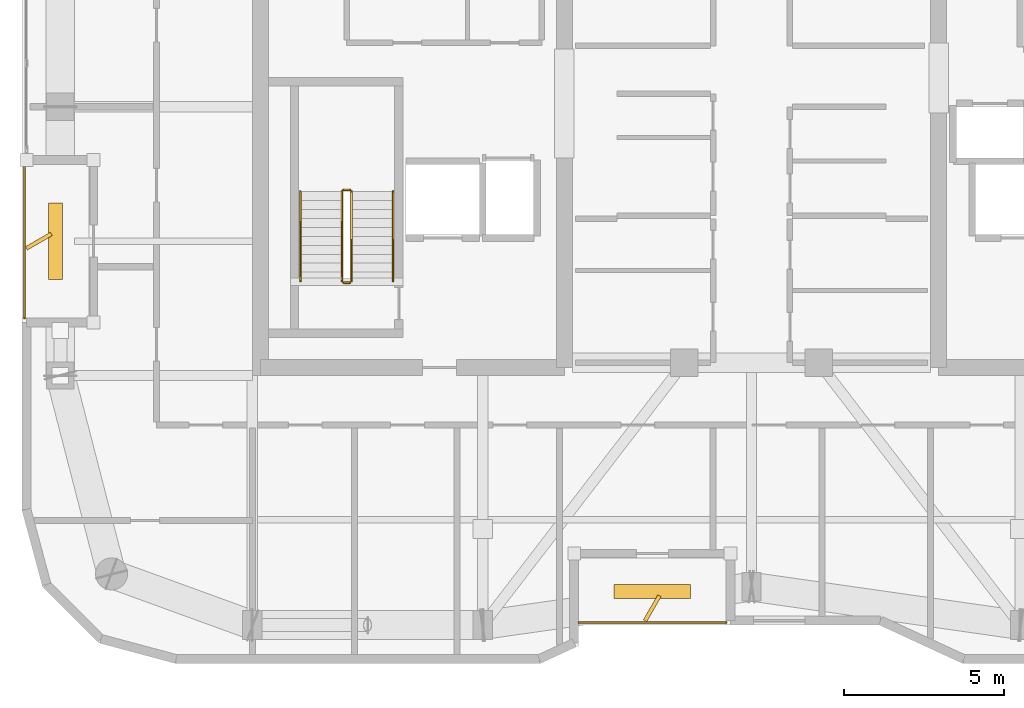
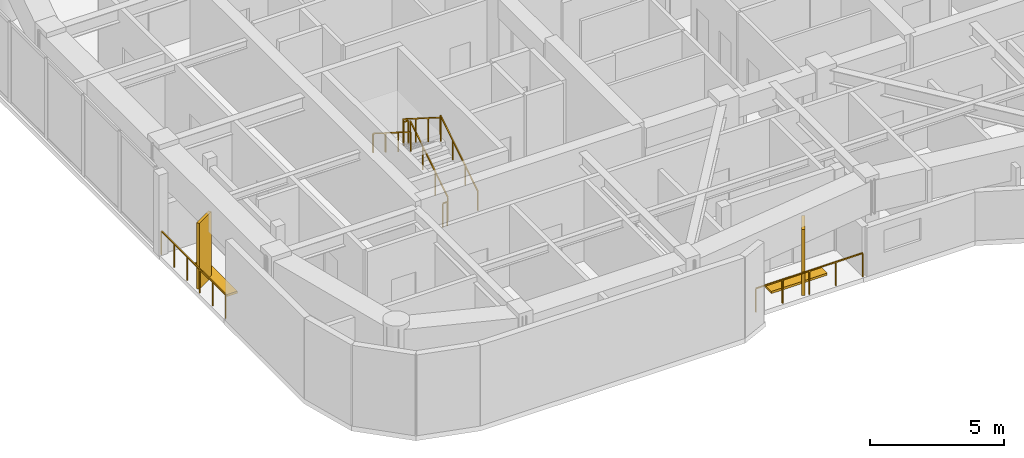
# One storey, part 15 of 16: 8 railings, 4 shading devices.
"""IFC4 building model written with IfcOpenShell, lengths in metres."""

from ifc_helpers import new_model, si_unit, direction, frame, origin, origin_2d, place, context, subcontext, project, spatial, rectangle, extrude, material, type_object, element, save


model = new_model("IFC4")

# Units and contexts
model_context = context("Model", 3, precision=1e-05, world=origin(), true_north=direction((0.0, 1.0)))
body_context = subcontext(model_context, "Body", "Model", "MODEL_VIEW")
ifc_project = project(units=[si_unit("LENGTHUNIT", "METRE"), si_unit("AREAUNIT", "SQUARE_METRE"), si_unit("VOLUMEUNIT", "CUBIC_METRE"), si_unit("PLANEANGLEUNIT", "RADIAN"), si_unit("MASSUNIT", "GRAM", prefix="KILO")], contexts=[model_context])

# Site, building, storey
site_placement = place(None, origin())
site = spatial("IfcSite", under=ifc_project, at=site_placement, CompositionType="ELEMENT")
building_placement = place(site_placement, origin())
building = spatial("IfcBuilding", under=site, at=building_placement, Name="Kiyonajd Concourse Tower", CompositionType="ELEMENT")
storey_placement = place(building_placement, frame((0.0, 0.0, 346.5)))
storey = spatial("IfcBuildingStorey", under=building, at=storey_placement, Name="L87", CompositionType="ELEMENT", Elevation=346.5)

# Railings
ifc_material_1 = material(Name="Thermally Broken Anodised Aluminium", Category="aluminium")
railing_type_1 = type_object("IfcRailingType", Name="RL-GRD-LOG", PredefinedType="GUARDRAIL", material=ifc_material_1)
railing_1_placement = place(storey_placement, frame((42.60009765625, 19.8798828125, 0.0)))
element("IfcRailing", 1, at=railing_1_placement, inside=storey, type_object=railing_type_1, Name="L87 Engawa Loggia Perimeter Guard LOG-S", PredefinedType="GUARDRAIL", context=body_context, shape_type="SweptSolid", body=[
    extrude(rectangle(XDim=0.048095703125, YDim=0.048095703125, at=origin_2d()), frame((0.0, 0.0, 1.076171875), z_axis=(1.0, 0.0, 0.0), x_axis=(0.0, 1.0, 0.0)), (0.0, 0.0, 1.0), 4.599853515625),
    extrude(rectangle(XDim=0.0419921875, YDim=0.0419921875, at=origin_2d()), origin(), (0.0, 0.0, 1.0), 1.052001953125),
    extrude(rectangle(XDim=0.0419921875, YDim=0.0419921875, at=origin_2d()), frame((1.14990234375, 0.0, 0.0)), (0.0, 0.0, 1.0), 1.052001953125),
    extrude(rectangle(XDim=0.0419921875, YDim=0.0419921875, at=origin_2d()), frame((2.2998046875, 0.0, 0.0)), (0.0, 0.0, 1.0), 1.052001953125),
    extrude(rectangle(XDim=0.0419921875, YDim=0.0419921875, at=origin_2d()), frame((3.449951171875, 0.0, 0.0)), (0.0, 0.0, 1.0), 1.052001953125),
    extrude(rectangle(XDim=0.0419921875, YDim=0.0419921875, at=origin_2d()), frame((4.599853515625, 0.0, 0.0)), (0.0, 0.0, 1.0), 1.052001953125),
])
railing_2_placement = place(storey_placement, frame((25.280029296875, 34.199951171875, 0.0)))
element("IfcRailing", 2, at=railing_2_placement, inside=storey, type_object=railing_type_1, Name="L87 Engawa Loggia Perimeter Guard LOG-W", PredefinedType="GUARDRAIL", context=body_context, shape_type="SweptSolid", body=[
    extrude(rectangle(XDim=0.048095703125, YDim=0.048095703125, at=origin_2d()), frame((0.0, 0.0, 1.076171875), z_axis=(0.0, -1.0, 0.0), x_axis=(1.0, 0.0, 0.0)), (0.0, 0.0, 1.0), 4.800048828125),
    extrude(rectangle(XDim=0.0419921875, YDim=0.0419921875, at=origin_2d()), origin(), (0.0, 0.0, 1.0), 1.052001953125),
    extrude(rectangle(XDim=0.0419921875, YDim=0.0419921875, at=origin_2d()), frame((0.0, -0.9599609375, 0.0)), (0.0, 0.0, 1.0), 1.052001953125),
    extrude(rectangle(XDim=0.0419921875, YDim=0.0419921875, at=origin_2d()), frame((0.0, -1.919921875, 0.0)), (0.0, 0.0, 1.0), 1.052001953125),
    extrude(rectangle(XDim=0.0419921875, YDim=0.0419921875, at=origin_2d()), frame((0.0, -2.880126953125, 0.0)), (0.0, 0.0, 1.0), 1.052001953125),
    extrude(rectangle(XDim=0.0419921875, YDim=0.0419921875, at=origin_2d()), frame((0.0, -3.840087890625, 0.0)), (0.0, 0.0, 1.0), 1.052001953125),
    extrude(rectangle(XDim=0.0419921875, YDim=0.0419921875, at=origin_2d()), frame((0.0, -4.800048828125, 0.0)), (0.0, 0.0, 1.0), 1.052001953125),
])
ifc_material_2 = material(Name="Steel ASTM A500 Grade C", Category="steel")
railing_type_2 = type_object("IfcRailingType", Name="RL-GRD-STR", PredefinedType="GUARDRAIL", material=ifc_material_2)
railing_3_placement = place(storey_placement, frame((35.5, 30.550048828125, 0.17724609375)))
element("IfcRailing", 3, at=railing_3_placement, inside=storey, type_object=railing_type_2, Name="L87 ST1 stair guard 1", PredefinedType="GUARDRAIL", context=body_context, shape_type="SweptSolid", body=[
    extrude(rectangle(XDim=0.048095703125, YDim=0.048095703125, at=origin_2d()), frame((0.0, 0.0, 1.076171875), z_axis=(0.0, 0.844908973607, 0.534910110503), x_axis=(-1.0, 0.0, 0.0)), (0.0, 0.0, 1.0), 3.31396484375),
    extrude(rectangle(XDim=0.0419921875, YDim=0.0419921875, at=origin_2d()), origin(), (0.0, 0.0, 1.0), 1.052001953125),
    extrude(rectangle(XDim=0.0419921875, YDim=0.0419921875, at=origin_2d()), frame((0.0, 0.933349609375, 0.5908203125)), (0.0, 0.0, 1.0), 1.052001953125),
    extrude(rectangle(XDim=0.0419921875, YDim=0.0419921875, at=origin_2d()), frame((0.0, 1.86669921875, 1.181884765625)), (0.0, 0.0, 1.0), 1.052001953125),
    extrude(rectangle(XDim=0.0419921875, YDim=0.0419921875, at=origin_2d()), frame((0.0, 2.800048828125, 1.772705078125)), (0.0, 0.0, 1.0), 1.052001953125),
])
railing_4_placement = place(storey_placement, frame((35.449951171875, 33.39990234375, 1.949951171875)))
element("IfcRailing", 4, at=railing_4_placement, inside=storey, type_object=railing_type_2, Name="L87 ST1 stair guard 2", PredefinedType="GUARDRAIL", context=body_context, shape_type="SweptSolid", body=[
    extrude(rectangle(XDim=0.048095703125, YDim=0.048095703125, at=origin_2d()), frame((0.0, 0.0, 1.076171875), z_axis=(-1.0, 0.0, 0.0), x_axis=(0.0, -1.0, 0.0)), (0.0, 0.0, 1.0), 0.199951171875),
    extrude(rectangle(XDim=0.0419921875, YDim=0.0419921875, at=origin_2d()), origin(), (0.0, 0.0, 1.0), 1.052001953125),
    extrude(rectangle(XDim=0.0419921875, YDim=0.0419921875, at=origin_2d()), frame((-0.199951171875, 0.0, 0.0)), (0.0, 0.0, 1.0), 1.052001953125),
])
railing_5_placement = place(storey_placement, frame((35.199951171875, 33.35009765625, 2.127197265625)))
element("IfcRailing", 5, at=railing_5_placement, inside=storey, type_object=railing_type_2, Name="L87 ST1 stair guard 3", PredefinedType="GUARDRAIL", context=body_context, shape_type="SweptSolid", body=[
    extrude(rectangle(XDim=0.048095703125, YDim=0.048095703125, at=origin_2d()), frame((0.0, 0.0, 1.076171875), z_axis=(0.0, -0.844908973607, 0.534910110503), x_axis=(1.0, 0.0, 0.0)), (0.0, 0.0, 1.0), 3.31396484375),
    extrude(rectangle(XDim=0.0419921875, YDim=0.0419921875, at=origin_2d()), origin(), (0.0, 0.0, 1.0), 1.052001953125),
    extrude(rectangle(XDim=0.0419921875, YDim=0.0419921875, at=origin_2d()), frame((0.0, -0.933349609375, 0.5908203125)), (0.0, 0.0, 1.0), 1.052001953125),
    extrude(rectangle(XDim=0.0419921875, YDim=0.0419921875, at=origin_2d()), frame((0.0, -1.86669921875, 1.181884765625)), (0.0, 0.0, 1.0), 1.052001953125),
    extrude(rectangle(XDim=0.0419921875, YDim=0.0419921875, at=origin_2d()), frame((0.0, -2.800048828125, 1.772705078125)), (0.0, 0.0, 1.0), 1.052001953125),
])
railing_6_placement = place(storey_placement, frame((35.449951171875, 30.5, 0.0)))
element("IfcRailing", 6, at=railing_6_placement, inside=storey, type_object=railing_type_2, Name="L87 ST1 stair guard 4", PredefinedType="GUARDRAIL", context=body_context, shape_type="SweptSolid", body=[
    extrude(rectangle(XDim=0.048095703125, YDim=0.048095703125, at=origin_2d()), frame((0.0, 0.0, 1.076171875), z_axis=(-1.0, 0.0, 0.0), x_axis=(0.0, -1.0, 0.0)), (0.0, 0.0, 1.0), 0.199951171875),
    extrude(rectangle(XDim=0.0419921875, YDim=0.0419921875, at=origin_2d()), origin(), (0.0, 0.0, 1.0), 1.052001953125),
    extrude(rectangle(XDim=0.0419921875, YDim=0.0419921875, at=origin_2d()), frame((-0.199951171875, 0.0, 0.0)), (0.0, 0.0, 1.0), 1.052001953125),
])
ifc_material_3 = material(Name="Brushed Stainless Steel Cab Assembly", Category="steel")
railing_type_3 = type_object("IfcRailingType", Name="RL-HND-900", PredefinedType="HANDRAIL", material=ifc_material_3)
railing_7_placement = place(storey_placement, frame((36.800048828125, 30.550048828125, 0.17724609375)))
element("IfcRailing", 7, at=railing_7_placement, inside=storey, type_object=railing_type_3, Name="L87 ST1 stair handrail 1", PredefinedType="HANDRAIL", context=body_context, shape_type="SweptSolid", body=[
    extrude(rectangle(XDim=0.048095703125, YDim=0.048095703125, at=origin_2d()), frame((0.0, 0.0, 0.8759765625), z_axis=(0.0, 0.844908973607, 0.534910110503), x_axis=(-1.0, 0.0, 0.0)), (0.0, 0.0, 1.0), 3.31396484375),
    extrude(rectangle(XDim=0.0419921875, YDim=0.0419921875, at=origin_2d()), origin(), (0.0, 0.0, 1.0), 0.851806640625),
    extrude(rectangle(XDim=0.0419921875, YDim=0.0419921875, at=origin_2d()), frame((0.0, 0.933349609375, 0.5908203125)), (0.0, 0.0, 1.0), 0.851806640625),
    extrude(rectangle(XDim=0.0419921875, YDim=0.0419921875, at=origin_2d()), frame((0.0, 1.86669921875, 1.181884765625)), (0.0, 0.0, 1.0), 0.851806640625),
    extrude(rectangle(XDim=0.0419921875, YDim=0.0419921875, at=origin_2d()), frame((0.0, 2.800048828125, 1.772705078125)), (0.0, 0.0, 1.0), 0.851806640625),
])
railing_8_placement = place(storey_placement, frame((33.89990234375, 33.35009765625, 2.127197265625)))
element("IfcRailing", 8, at=railing_8_placement, inside=storey, type_object=railing_type_3, Name="L87 ST1 stair handrail 2", PredefinedType="HANDRAIL", context=body_context, shape_type="SweptSolid", body=[
    extrude(rectangle(XDim=0.048095703125, YDim=0.048095703125, at=origin_2d()), frame((0.0, 0.0, 0.8759765625), z_axis=(0.0, -0.844908973607, 0.534910110503), x_axis=(1.0, 0.0, 0.0)), (0.0, 0.0, 1.0), 3.31396484375),
    extrude(rectangle(XDim=0.0419921875, YDim=0.0419921875, at=origin_2d()), origin(), (0.0, 0.0, 1.0), 0.851806640625),
    extrude(rectangle(XDim=0.0419921875, YDim=0.0419921875, at=origin_2d()), frame((0.0, -0.933349609375, 0.5908203125)), (0.0, 0.0, 1.0), 0.851806640625),
    extrude(rectangle(XDim=0.0419921875, YDim=0.0419921875, at=origin_2d()), frame((0.0, -1.86669921875, 1.181884765625)), (0.0, 0.0, 1.0), 0.851806640625),
    extrude(rectangle(XDim=0.0419921875, YDim=0.0419921875, at=origin_2d()), frame((0.0, -2.800048828125, 1.772705078125)), (0.0, 0.0, 1.0), 0.851806640625),
])

# Shading devices
ifc_material_4 = material(Name="Precast concrete C50/60", Category="concrete")
shading_device_type_1 = type_object("IfcShadingDeviceType", Name="SH-FIN-900", PredefinedType="USERDEFINED", material=ifc_material_4)
for number, where, z_axis, x_axis, name in (
    (9, (44.89990234375, 20.330078125, 0.0), (0.0, 0.0, 1.0), (0.5, 0.866025403784, 0.0), "L87 Angled Koshi Solar Fin LOG-S"),
    (10, (25.72998046875, 31.800048828125, 0.0), (0.0, 0.0, 1.0), (0.866025403784, 0.5, 0.0), "L87 Angled Koshi Solar Fin LOG-W"),
):
    element("IfcShadingDevice", number, at=place(storey_placement, frame(where, z_axis=z_axis, x_axis=x_axis)), inside=storey, type_object=shading_device_type_1, Name=name, ObjectType="FIN", PredefinedType="USERDEFINED", context=body_context, shape_type="SweptSolid", body=[
        extrude(rectangle(XDim=0.89990234375, YDim=0.1201171875, at=origin_2d()), origin(), (0.0, 0.0, 1.0), 3.0),
    ])
shading_device_type_2 = type_object("IfcShadingDeviceType", Name="SH-LVR-600", PredefinedType="JALOUSIE", material=ifc_material_1)
for number, where, z_axis, x_axis, name in (
    (11, (44.89990234375, 20.85009765625, 0.0), (0.0, 0.0, 1.0), (1.0, 0.0, 0.0), "L87 Loggia Threshold Louver LOG-S"),
    (12, (26.25, 31.800048828125, 0.0), (0.0, 0.0, 1.0), (0.0, 1.0, 0.0), "L87 Loggia Threshold Louver LOG-W"),
):
    element("IfcShadingDevice", number, at=place(storey_placement, frame(where, z_axis=z_axis, x_axis=x_axis)), inside=storey, type_object=shading_device_type_2, Name=name, PredefinedType="JALOUSIE", context=body_context, shape_type="SweptSolid", body=[
        extrude(rectangle(XDim=2.39990234375, YDim=0.449951171875, at=origin_2d()), origin(), (0.0, 0.0, 1.0), 0.10009765625),
    ])

save(model, "model.ifc")
